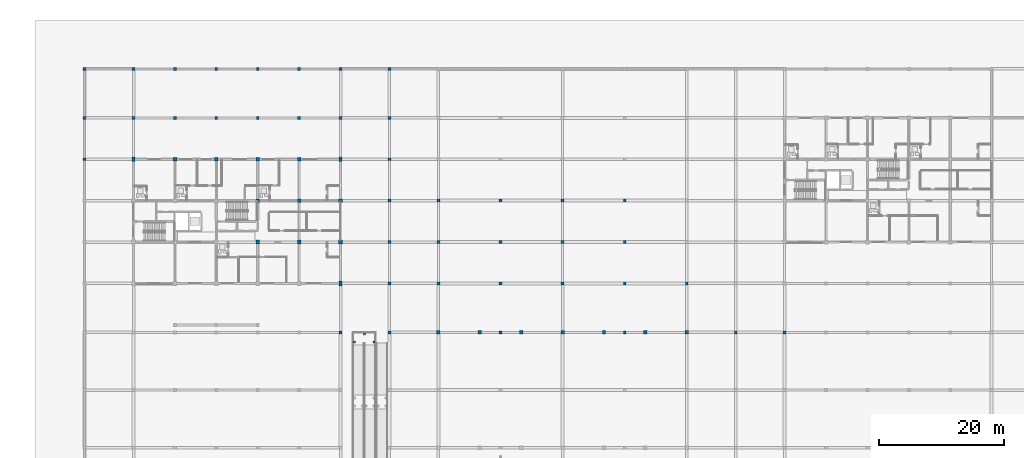
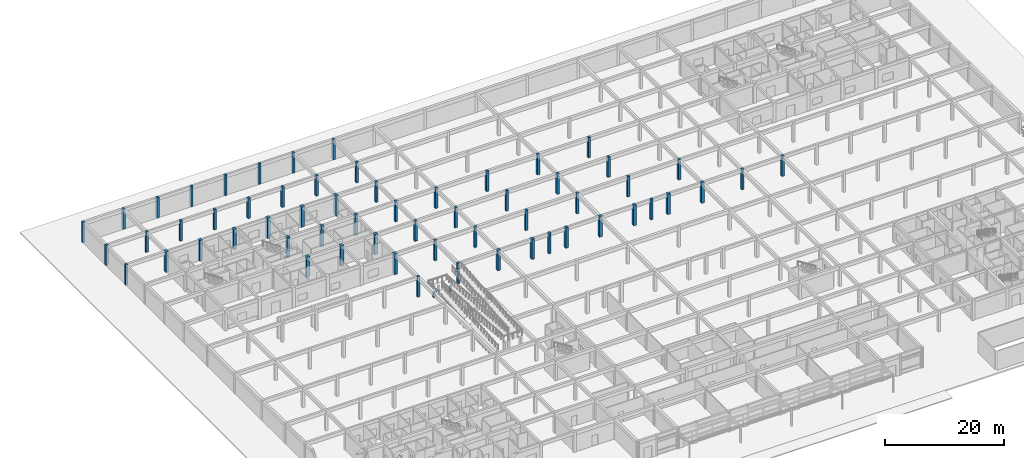
# One storey, part 7 of 75: 63 columns.
"""IFC4 building model written with IfcOpenShell, lengths in metres."""

import ifcopenshell
import ifcopenshell.guid

model = None  # the IFC model being written
_history = None  # IfcOwnerHistory: only IFC2X3 demands one
_inside = {}  # id of a spatial element -> (the spatial element, [elements in it])
_under = {}  # id of a project, library or spatial element -> (it, [spatial elements below it])
_declared = {}  # id of a project -> (the project, [libraries it declares])
_typed = {}  # id of a type object -> (the type object, [elements of that type])
_made_of = {}  # id of a material, layer set ... -> (it, [elements and type objects made of it])


def new_model(schema):
    """Start an empty IFC model of exactly this schema.

    Asked for "IFC4X3", IfcOpenShell would pick the latest addendum, in which some entities
    have other attributes; the version numbers below select the first issue.
    IFC2X3 requires an IfcOwnerHistory on every rooted entity: one is made here for all.
    """
    global model, _history
    if schema == "IFC4X3":
        model = ifcopenshell.file(schema_version=(4, 3, 0, 0))
    else:
        model = ifcopenshell.file(schema=schema)
    _inside.clear()
    _under.clear()
    _declared.clear()
    _typed.clear()
    _made_of.clear()
    _history = None
    if model.schema == "IFC2X3":
        org = make("IfcOrganization", Name="unknown")
        user = make(
            "IfcPersonAndOrganization",
            ThePerson=make("IfcPerson", FamilyName="unknown"),
            TheOrganization=org,
        )
        app = make(
            "IfcApplication",
            ApplicationDeveloper=org,
            Version="unknown",
            ApplicationFullName="unknown",
            ApplicationIdentifier="unknown",
        )
        _history = make(
            "IfcOwnerHistory",
            OwningUser=user,
            OwningApplication=app,
            ChangeAction="ADDED",
            CreationDate=0,
        )
    return model


def make(cls, **values):
    """One entity of the class cls with the attributes given. An attribute that is None is left unset."""
    return model.create_entity(
        cls, **{name: value for name, value in values.items() if value is not None}
    )


def rooted(cls, **values):
    """An entity with a GlobalId (a new one), such as an element, a storey or a relation."""
    return make(cls, GlobalId=ifcopenshell.guid.new(), OwnerHistory=_history, **values)


def si_unit(unit_type, name, prefix=None):
    """IfcSIUnit, for example si_unit("LENGTHUNIT", "METRE", prefix="MILLI")."""
    return make("IfcSIUnit", UnitType=unit_type, Prefix=prefix, Name=name)


def assignment(units):
    """IfcUnitAssignment: the units of a project."""
    return None if units is None else make("IfcUnitAssignment", Units=units)


def point(xyz):
    """IfcCartesianPoint."""
    return None if xyz is None else make("IfcCartesianPoint", Coordinates=xyz)


def direction(xyz):
    """IfcDirection."""
    return None if xyz is None else make("IfcDirection", DirectionRatios=xyz)


def frame(location, z_axis=None, x_axis=None):
    """IfcAxis2Placement3D, a coordinate frame: its origin and axes. An axis left out is left unset."""
    return make(
        "IfcAxis2Placement3D",
        Location=point(location),
        Axis=direction(z_axis),
        RefDirection=direction(x_axis),
    )


def frame_2d(location, x_axis=None):
    """IfcAxis2Placement2D, a coordinate frame in the plane: its origin and x axis."""
    return make(
        "IfcAxis2Placement2D", Location=point(location), RefDirection=direction(x_axis)
    )


def origin():
    """The frame at (0, 0, 0) with its axes left unset."""
    return frame((0.0, 0.0, 0.0))


def origin_2d():
    """The frame at (0, 0) in the plane with its x axis left unset."""
    return frame_2d((0.0, 0.0))


def place(relative_to, where):
    """IfcLocalPlacement: puts the frame where relative to a parent placement (None: the world)."""
    return make(
        "IfcLocalPlacement", PlacementRelTo=relative_to, RelativePlacement=where
    )


def context(
    kind, dimensions, precision=None, world=None, true_north=None, identifier=None
):
    """IfcGeometricRepresentationContext, for example the 3D "Model" context."""
    return make(
        "IfcGeometricRepresentationContext",
        ContextIdentifier=identifier,
        ContextType=kind,
        CoordinateSpaceDimension=dimensions,
        Precision=precision,
        WorldCoordinateSystem=world,
        TrueNorth=true_north,
    )


def subcontext(parent, identifier, kind, view, scale=None):
    """IfcGeometricRepresentationSubContext, for example "Body" below "Model"."""
    return make(
        "IfcGeometricRepresentationSubContext",
        ContextIdentifier=identifier,
        ContextType=kind,
        ParentContext=parent,
        TargetScale=scale,
        TargetView=view,
    )


def project(units=None, contexts=None):
    """IfcProject with its units and contexts."""
    return rooted(
        "IfcProject",
        Name="project",
        RepresentationContexts=contexts,
        UnitsInContext=assignment(units),
    )


def spatial(cls, under=None, at=None, **own):
    """A site, building, storey or space (cls), placed at a placement, below another one or the project."""
    s = rooted(cls, ObjectPlacement=at, **own)
    if under is not None:
        _under.setdefault(under.id(), (under, []))[1].append(s)
    return s


def profile(cls, at=None, kind="AREA", **sizes):
    """A parametric profile (cls). Its sizes go by their IFC names, for example OverallWidth=200.0."""
    return make(cls, ProfileType=kind, Position=at, **sizes)


def rectangle(**sizes):
    """IfcRectangleProfileDef."""
    return profile("IfcRectangleProfileDef", **sizes)


def extrude(swept, where, along, depth):
    """IfcExtrudedAreaSolid: the profile swept, set in the frame where, extruded along a direction by depth."""
    return make(
        "IfcExtrudedAreaSolid",
        SweptArea=swept,
        Position=where,
        ExtrudedDirection=direction(along),
        Depth=depth,
    )


def shape(context_of_items, identifier, shape_type, items):
    """IfcShapeRepresentation: the items that make up one representation, for example the "Body"."""
    return make(
        "IfcShapeRepresentation",
        ContextOfItems=context_of_items,
        RepresentationIdentifier=identifier,
        RepresentationType=shape_type,
        Items=items,
    )


def material(Name=None, Category=None):
    """IfcMaterial."""
    return make("IfcMaterial", Name=Name, Category=Category)


def material_profile(
    of_material, cross_section, Name=None, Category=None, Priority=None
):
    """IfcMaterialProfile: a cross section and its material."""
    return make(
        "IfcMaterialProfile",
        Name=Name,
        Material=of_material,
        Profile=cross_section,
        Priority=Priority,
        Category=Category,
    )


def profile_set(profiles, Name=None, composite=None):
    """IfcMaterialProfileSet."""
    return make(
        "IfcMaterialProfileSet",
        Name=Name,
        MaterialProfiles=profiles,
        CompositeProfile=composite,
    )


def made_of(thing, what):
    """Note that an element or type object is made of a material, layer set ...; save() writes the relation."""
    if what is not None:
        _made_of.setdefault(what.id(), (what, []))[1].append(thing)
    return thing


def type_object(cls, material=None, **own):
    """A type object (cls), such as IfcWallType, which elements share."""
    return made_of(rooted(cls, **own), material)


def element(
    cls,
    number,
    at=None,
    inside=None,
    cuts=None,
    type_object=None,
    material=None,
    context=None,
    identifier="Body",
    shape_type=None,
    held_by="IfcProductDefinitionShape",
    body=None,
    shapes=None,
    **own,
):
    """One element of the class cls, such as IfcWall. Its Tag is "e" and its number.

    at: its placement. inside: the storey or other place that contains it. cuts: it is an
    opening in that element (IfcRelVoidsElement). A single representation is given by context,
    identifier, shape_type and body (its items); several are given by shapes. held_by: the class
    of the entity that holds the representations. save() writes the other relations.
    """
    e = rooted(cls, Tag="e%d" % number, ObjectPlacement=at, **own)
    if body is not None:
        shapes = [shape(context, identifier, shape_type, body)]
    if shapes is not None:
        e.Representation = make(held_by, Representations=shapes)
    if inside is not None:
        _inside.setdefault(inside.id(), (inside, []))[1].append(e)
    if cuts is not None:
        rooted(
            "IfcRelVoidsElement", RelatingBuildingElement=cuts, RelatedOpeningElement=e
        )
    if type_object is not None:
        _typed.setdefault(type_object.id(), (type_object, []))[1].append(e)
    return made_of(e, material)


def aggregate(whole, parts):
    """IfcRelAggregates: a whole, such as a stair, and the parts it consists of."""
    return rooted("IfcRelAggregates", RelatingObject=whole, RelatedObjects=parts)


def save(model, path):
    """Write the relations noted so far, then the file.

    IfcRelAggregates (storeys below a building ...), IfcRelContainedInSpatialStructure (elements
    in a storey), IfcRelDefinesByType, IfcRelAssociatesMaterial and IfcRelDeclares: one each for
    every whole, place, type object, material and project.
    """
    for whole, parts in _under.values():
        aggregate(whole, parts)
    for where, things in _inside.values():
        rooted(
            "IfcRelContainedInSpatialStructure",
            RelatedElements=things,
            RelatingStructure=where,
        )
    for kind, things in _typed.values():
        rooted("IfcRelDefinesByType", RelatedObjects=things, RelatingType=kind)
    for what, things in _made_of.values():
        rooted("IfcRelAssociatesMaterial", RelatedObjects=things, RelatingMaterial=what)
    for by, libraries in _declared.values():
        rooted("IfcRelDeclares", RelatingContext=by, RelatedDefinitions=libraries)
    model.write(path)


model = new_model("IFC4")

# Units and contexts
model_context = context("Model", 3, precision=1e-05, world=origin(), true_north=direction((0.0, 1.0)))
body_context = subcontext(model_context, "Body", "Model", "MODEL_VIEW")
ifc_project = project(units=[si_unit("LENGTHUNIT", "METRE"), si_unit("AREAUNIT", "SQUARE_METRE"), si_unit("VOLUMEUNIT", "CUBIC_METRE"), si_unit("PLANEANGLEUNIT", "RADIAN"), si_unit("MASSUNIT", "GRAM", prefix="KILO")], contexts=[model_context])

# Site, building, storey
site_placement = place(None, origin())
site = spatial("IfcSite", under=ifc_project, at=site_placement, CompositionType="ELEMENT")
building_placement = place(site_placement, origin())
building = spatial("IfcBuilding", under=site, at=building_placement, Name="Kernevlak Ridge Housing Community", CompositionType="ELEMENT")
storey_placement = place(building_placement, origin())
storey = spatial("IfcBuildingStorey", under=building, at=storey_placement, Name="L00", CompositionType="ELEMENT", Elevation=0.0)

# Columns
ifc_material_1 = material(Name="Concrete C40/50", Category="concrete")
ifc_material_profile_1 = material_profile(ifc_material_1, rectangle(XDim=0.60009765625, YDim=0.60009765625, at=origin_2d()), Name="RC 600x600")
ifc_profile_set_1 = profile_set([ifc_material_profile_1], Name="Concrete C40/50")
column_type_1 = type_object("IfcColumnType", Name="C-01", PredefinedType="COLUMN", material=ifc_profile_set_1)
for number, where, z_axis, x_axis, name in (
    (1, (22.199951171875, 95.800048828125, 0.0), (0.0, 0.0, 1.0), (1.0, 0.0, 0.0), "Column C-01 COL-A-L00-01-3"),
    (2, (28.800048828125, 95.800048828125, 0.0), (0.0, 0.0, 1.0), (1.0, 0.0, 0.0), "Column C-01 COL-A-L00-02-3"),
    (3, (35.39990234375, 82.60009765625, 0.0), (0.0, 0.0, 1.0), (1.0, 0.0, 0.0), "Column C-01 COL-A-L00-03-1"),
    (4, (35.39990234375, 89.199951171875, 0.0), (0.0, 0.0, 1.0), (1.0, 0.0, 0.0), "Column C-01 COL-A-L00-03-2"),
    (5, (35.39990234375, 95.800048828125, 0.0), (0.0, 0.0, 1.0), (1.0, 0.0, 0.0), "Column C-01 COL-A-L00-03-3"),
    (6, (42.0, 82.60009765625, 0.0), (0.0, 0.0, 1.0), (1.0, 0.0, 0.0), "Column C-01 COL-A-L00-04-1"),
    (7, (42.0, 89.199951171875, 0.0), (0.0, 0.0, 1.0), (1.0, 0.0, 0.0), "Column C-01 COL-A-L00-04-2"),
    (8, (42.0, 95.800048828125, 0.0), (0.0, 0.0, 1.0), (1.0, 0.0, 0.0), "Column C-01 COL-A-L00-04-3"),
    (9, (48.60009765625, 82.60009765625, 0.0), (0.0, 0.0, 1.0), (1.0, 0.0, 0.0), "Column C-01 COL-A-L00-05-1"),
    (10, (48.60009765625, 89.199951171875, 0.0), (0.0, 0.0, 1.0), (1.0, 0.0, 0.0), "Column C-01 COL-A-L00-05-2"),
):
    element("IfcColumn", number, at=place(storey_placement, frame(where, z_axis=z_axis, x_axis=x_axis)), inside=storey, type_object=column_type_1, Name=name, PredefinedType="COLUMN", context=body_context, shape_type="SweptSolid", body=[
        extrude(rectangle(XDim=0.60009765625, YDim=0.60009765625, at=origin_2d()), origin(), (0.0, 0.0, 1.0), 4.199951171875),
    ])
ifc_material_profile_2 = material_profile(ifc_material_1, rectangle(XDim=0.550048828125, YDim=0.550048828125, at=origin_2d()), Name="RC 550x550")
ifc_profile_set_2 = profile_set([ifc_material_profile_2], Name="Concrete C40/50")
column_type_2 = type_object("IfcColumnType", Name="C-02", PredefinedType="COLUMN", material=ifc_profile_set_2)
for number, where, z_axis, x_axis, name in (
    (11, (64.199951171875, 68.199951171875, 0.0), (0.0, 0.0, 1.0), (1.0, 0.0, 0.0), "Column C-02 COL-HALL-L00-0-1"),
    (12, (70.800048828125, 68.199951171875, 0.0), (0.0, 0.0, 1.0), (1.0, 0.0, 0.0), "Column C-02 COL-HALL-L00-1-1"),
    (13, (77.39990234375, 68.199951171875, 0.0), (0.0, 0.0, 1.0), (1.0, 0.0, 0.0), "Column C-02 COL-HALL-L00-2-1"),
    (14, (84.0, 68.199951171875, 0.0), (0.0, 0.0, 1.0), (1.0, 0.0, 0.0), "Column C-02 COL-HALL-L00-3-1"),
    (15, (90.60009765625, 68.199951171875, 0.0), (0.0, 0.0, 1.0), (1.0, 0.0, 0.0), "Column C-02 COL-HALL-L00-4-1"),
    (16, (97.199951171875, 68.199951171875, 0.0), (0.0, 0.0, 1.0), (1.0, 0.0, 0.0), "Column C-02 COL-HALL-L00-5-1"),
    (17, (103.800048828125, 68.199951171875, 0.0), (0.0, 0.0, 1.0), (1.0, 0.0, 0.0), "Column C-02 COL-HALL-L00-6-1"),
):
    element("IfcColumn", number, at=place(storey_placement, frame(where, z_axis=z_axis, x_axis=x_axis)), inside=storey, type_object=column_type_2, Name=name, PredefinedType="COLUMN", context=body_context, shape_type="SweptSolid", body=[
        extrude(rectangle(XDim=0.550048828125, YDim=0.550048828125, at=origin_2d()), origin(), (0.0, 0.0, 1.0), 4.199951171875),
    ])
ifc_material_2 = material(Name="Concrete C35/45", Category="concrete")
ifc_material_profile_3 = material_profile(ifc_material_2, rectangle(XDim=0.449951171875, YDim=0.449951171875, at=origin_2d()), Name="RC 450x450")
ifc_profile_set_3 = profile_set([ifc_material_profile_3], Name="Concrete C35/45")
column_type_3 = type_object("IfcColumnType", Name="C-04", PredefinedType="COLUMN", material=ifc_profile_set_3)
for number, where, z_axis, x_axis, name in (
    (18, (7.800048828125, 95.800048828125, 0.0), (0.0, 0.0, 1.0), (1.0, 0.0, 0.0), "Column C-04 COL-POD-L00-030"),
    (19, (7.800048828125, 102.39990234375, 0.0), (0.0, 0.0, 1.0), (1.0, 0.0, 0.0), "Column C-04 COL-POD-L00-031"),
    (20, (7.800048828125, 110.199951171875, 0.0), (0.0, 0.0, 1.0), (1.0, 0.0, 0.0), "Column C-04 COL-POD-L00-032"),
    (21, (15.60009765625, 102.39990234375, 0.0), (0.0, 0.0, 1.0), (1.0, 0.0, 0.0), "Column C-04 COL-POD-L00-040"),
    (22, (15.60009765625, 110.199951171875, 0.0), (0.0, 0.0, 1.0), (1.0, 0.0, 0.0), "Column C-04 COL-POD-L00-041"),
    (23, (22.199951171875, 102.39990234375, 0.0), (0.0, 0.0, 1.0), (1.0, 0.0, 0.0), "Column C-04 COL-POD-L00-049"),
    (24, (22.199951171875, 110.199951171875, 0.0), (0.0, 0.0, 1.0), (1.0, 0.0, 0.0), "Column C-04 COL-POD-L00-050"),
    (25, (28.800048828125, 102.39990234375, 0.0), (0.0, 0.0, 1.0), (1.0, 0.0, 0.0), "Column C-04 COL-POD-L00-058"),
    (26, (28.800048828125, 110.199951171875, 0.0), (0.0, 0.0, 1.0), (1.0, 0.0, 0.0), "Column C-04 COL-POD-L00-059"),
    (27, (35.39990234375, 102.39990234375, 0.0), (0.0, 0.0, 1.0), (1.0, 0.0, 0.0), "Column C-04 COL-POD-L00-067"),
    (28, (35.39990234375, 110.199951171875, 0.0), (0.0, 0.0, 1.0), (1.0, 0.0, 0.0), "Column C-04 COL-POD-L00-068"),
    (29, (42.0, 102.39990234375, 0.0), (0.0, 0.0, 1.0), (1.0, 0.0, 0.0), "Column C-04 COL-POD-L00-076"),
    (30, (42.0, 110.199951171875, 0.0), (0.0, 0.0, 1.0), (1.0, 0.0, 0.0), "Column C-04 COL-POD-L00-077"),
    (31, (48.60009765625, 68.199951171875, 0.0), (0.0, 0.0, 1.0), (1.0, 0.0, 0.0), "Column C-04 COL-POD-L00-088"),
    (32, (48.60009765625, 102.39990234375, 0.0), (0.0, 0.0, 1.0), (1.0, 0.0, 0.0), "Column C-04 COL-POD-L00-089"),
    (33, (48.60009765625, 110.199951171875, 0.0), (0.0, 0.0, 1.0), (1.0, 0.0, 0.0), "Column C-04 COL-POD-L00-090"),
    (34, (56.39990234375, 68.199951171875, 0.0), (0.0, 0.0, 1.0), (1.0, 0.0, 0.0), "Column C-04 COL-POD-L00-101"),
    (35, (56.39990234375, 76.0, 0.0), (0.0, 0.0, 1.0), (1.0, 0.0, 0.0), "Column C-04 COL-POD-L00-102"),
    (36, (56.39990234375, 82.60009765625, 0.0), (0.0, 0.0, 1.0), (1.0, 0.0, 0.0), "Column C-04 COL-POD-L00-103"),
    (37, (56.39990234375, 89.199951171875, 0.0), (0.0, 0.0, 1.0), (1.0, 0.0, 0.0), "Column C-04 COL-POD-L00-104"),
    (38, (56.39990234375, 95.800048828125, 0.0), (0.0, 0.0, 1.0), (1.0, 0.0, 0.0), "Column C-04 COL-POD-L00-105"),
    (39, (56.39990234375, 102.39990234375, 0.0), (0.0, 0.0, 1.0), (1.0, 0.0, 0.0), "Column C-04 COL-POD-L00-106"),
    (40, (56.39990234375, 110.199951171875, 0.0), (0.0, 0.0, 1.0), (1.0, 0.0, 0.0), "Column C-04 COL-POD-L00-107"),
    (41, (64.199951171875, 76.0, 0.0), (0.0, 0.0, 1.0), (1.0, 0.0, 0.0), "Column C-04 COL-POD-L00-119"),
    (42, (64.199951171875, 82.60009765625, 0.0), (0.0, 0.0, 1.0), (1.0, 0.0, 0.0), "Column C-04 COL-POD-L00-120"),
    (43, (64.199951171875, 89.199951171875, 0.0), (0.0, 0.0, 1.0), (1.0, 0.0, 0.0), "Column C-04 COL-POD-L00-121"),
    (44, (74.10009765625, 68.199951171875, 0.0), (0.0, 0.0, 1.0), (1.0, 0.0, 0.0), "Column C-04 COL-POD-L00-135"),
    (45, (74.10009765625, 76.0, 0.0), (0.0, 0.0, 1.0), (1.0, 0.0, 0.0), "Column C-04 COL-POD-L00-136"),
    (46, (74.10009765625, 82.60009765625, 0.0), (0.0, 0.0, 1.0), (1.0, 0.0, 0.0), "Column C-04 COL-POD-L00-137"),
    (47, (74.10009765625, 89.199951171875, 0.0), (0.0, 0.0, 1.0), (1.0, 0.0, 0.0), "Column C-04 COL-POD-L00-138"),
    (48, (84.0, 76.0, 0.0), (0.0, 0.0, 1.0), (1.0, 0.0, 0.0), "Column C-04 COL-POD-L00-153"),
    (49, (84.0, 82.60009765625, 0.0), (0.0, 0.0, 1.0), (1.0, 0.0, 0.0), "Column C-04 COL-POD-L00-154"),
    (50, (84.0, 89.199951171875, 0.0), (0.0, 0.0, 1.0), (1.0, 0.0, 0.0), "Column C-04 COL-POD-L00-155"),
    (51, (93.89990234375, 68.199951171875, 0.0), (0.0, 0.0, 1.0), (1.0, 0.0, 0.0), "Column C-04 COL-POD-L00-169"),
    (52, (93.89990234375, 76.0, 0.0), (0.0, 0.0, 1.0), (1.0, 0.0, 0.0), "Column C-04 COL-POD-L00-170"),
    (53, (93.89990234375, 82.60009765625, 0.0), (0.0, 0.0, 1.0), (1.0, 0.0, 0.0), "Column C-04 COL-POD-L00-171"),
    (54, (93.89990234375, 89.199951171875, 0.0), (0.0, 0.0, 1.0), (1.0, 0.0, 0.0), "Column C-04 COL-POD-L00-172"),
    (55, (103.800048828125, 76.0, 0.0), (0.0, 0.0, 1.0), (1.0, 0.0, 0.0), "Column C-04 COL-POD-L00-187"),
    (56, (111.60009765625, 68.199951171875, 0.0), (0.0, 0.0, 1.0), (1.0, 0.0, 0.0), "Column C-04 COL-POD-L00-203"),
    (57, (119.39990234375, 68.199951171875, 0.0), (0.0, 0.0, 1.0), (1.0, 0.0, 0.0), "Column C-04 COL-POD-L00-220"),
):
    element("IfcColumn", number, at=place(storey_placement, frame(where, z_axis=z_axis, x_axis=x_axis)), inside=storey, type_object=column_type_3, Name=name, PredefinedType="COLUMN", context=body_context, shape_type="SweptSolid", body=[
        extrude(rectangle(XDim=0.449951171875, YDim=0.449951171875, at=origin_2d()), origin(), (0.0, 0.0, 1.0), 4.199951171875),
    ])
ifc_material_profile_4 = material_profile(ifc_material_2, rectangle(XDim=0.35009765625, YDim=0.35009765625, at=origin_2d()), Name="RC 350x350")
ifc_profile_set_4 = profile_set([ifc_material_profile_4], Name="Concrete C35/45")
column_type_4 = type_object("IfcColumnType", Name="C-06", PredefinedType="COLUMN", material=ifc_profile_set_4)
for number, where, z_axis, x_axis, name in (
    (58, (50.800048828125, 66.64990234375, 0.0), (0.0, 0.0, 1.0), (1.0, 0.0, 0.0), "Column C-06 COL-RMP-L00-04"),
    (59, (53.949951171875, 66.64990234375, 0.0), (0.0, 0.0, 1.0), (1.0, 0.0, 0.0), "Column C-06 COL-RMP-L00-05"),
    (60, (52.39990234375, 67.949951171875, 0.0), (0.0, 0.0, 1.0), (1.0, 0.0, 0.0), "Column C-06 COL-RMP-L00-06"),
):
    element("IfcColumn", number, at=place(storey_placement, frame(where, z_axis=z_axis, x_axis=x_axis)), inside=storey, type_object=column_type_4, Name=name, PredefinedType="COLUMN", context=body_context, shape_type="SweptSolid", body=[
        extrude(rectangle(XDim=0.35009765625, YDim=0.35009765625, at=origin_2d()), origin(), (0.0, 0.0, 1.0), 1.139892578125),
    ])
ifc_material_profile_5 = material_profile(ifc_material_1, rectangle(XDim=0.5, YDim=0.75, at=origin_2d()), Name="RC 500x750")
ifc_profile_set_5 = profile_set([ifc_material_profile_5], Name="Concrete C40/50")
column_type_5 = type_object("IfcColumnType", Name="C-07", PredefinedType="COLUMN", material=ifc_profile_set_5)
for number, where, z_axis, x_axis, name in (
    (61, (15.60009765625, 95.800048828125, 0.0), (0.0, 0.0, 1.0), (1.0, 0.0, 0.0), "Column C-07 COL-A-L00-00-3"),
    (62, (48.60009765625, 76.0, 0.0), (0.0, 0.0, 1.0), (1.0, 0.0, 0.0), "Column C-07 COL-A-L00-05-0"),
    (63, (48.60009765625, 95.800048828125, 0.0), (0.0, 0.0, 1.0), (1.0, 0.0, 0.0), "Column C-07 COL-A-L00-05-3"),
):
    element("IfcColumn", number, at=place(storey_placement, frame(where, z_axis=z_axis, x_axis=x_axis)), inside=storey, type_object=column_type_5, Name=name, PredefinedType="COLUMN", context=body_context, shape_type="SweptSolid", body=[
        extrude(rectangle(XDim=0.5, YDim=0.75, at=origin_2d()), origin(), (0.0, 0.0, 1.0), 4.199951171875),
    ])

save(model, "model.ifc")
